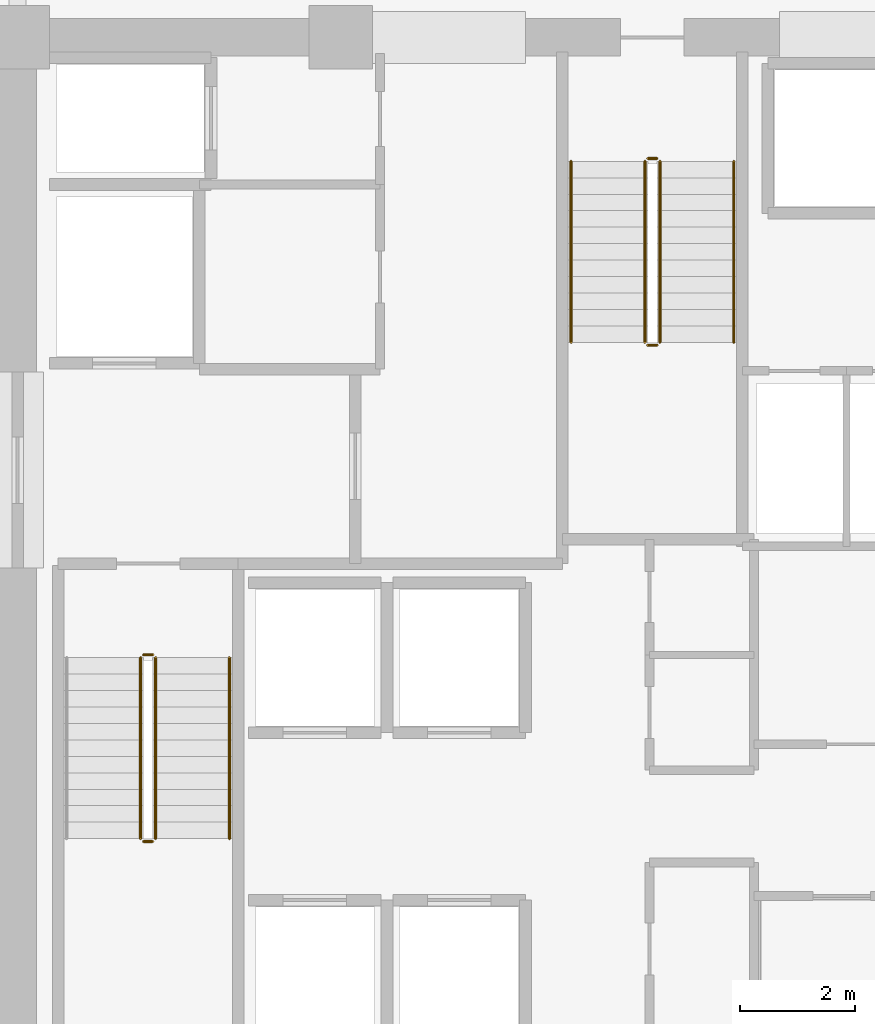
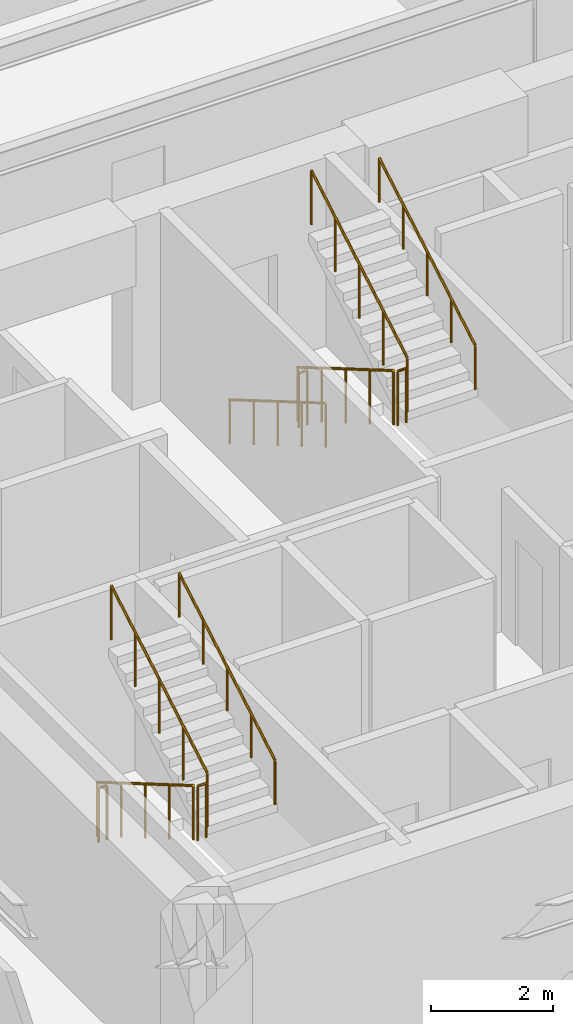
# One storey, part 20 of 22: 11 railings.
"""IFC4 building model written with IfcOpenShell, lengths in metres."""

from ifc_helpers import new_model, si_unit, direction, frame, origin, origin_2d, place, context, subcontext, project, spatial, circle, extrude, material, type_object, element, save


model = new_model("IFC4")

# Units and contexts
model_context = context("Model", 3, precision=1e-05, world=origin(), true_north=direction((0.0, 1.0)))
body_context = subcontext(model_context, "Body", "Model", "MODEL_VIEW")
ifc_project = project(units=[si_unit("LENGTHUNIT", "METRE"), si_unit("AREAUNIT", "SQUARE_METRE"), si_unit("VOLUMEUNIT", "CUBIC_METRE"), si_unit("PLANEANGLEUNIT", "RADIAN"), si_unit("MASSUNIT", "GRAM", prefix="KILO")], contexts=[model_context])

# Site, building, storey
site_placement = place(None, origin())
site = spatial("IfcSite", under=ifc_project, at=site_placement, CompositionType="ELEMENT")
building_placement = place(site_placement, origin())
building = spatial("IfcBuilding", under=site, at=building_placement, Name="Kovane Verandah Tower", CompositionType="ELEMENT")
storey_placement = place(building_placement, frame((0.0, 0.0, 71.60009765625)))
storey = spatial("IfcBuildingStorey", under=building, at=storey_placement, Name="L16", CompositionType="ELEMENT", Elevation=71.60009765625)

# Railings
ifc_material_1 = material(Name="Brushed Stainless Steel Handrail", Category="steel")
railing_type_1 = type_object("IfcRailingType", Name="RL-HAND-920", PredefinedType="HANDRAIL", material=ifc_material_1)
railing_1_placement = place(storey_placement, frame((32.669921875, 22.614990234375, 2.16650390625)))
element("IfcRailing", 1, at=railing_1_placement, inside=storey, type_object=railing_type_1, Name="L16 ST-01 stair handrail 2", PredefinedType="HANDRAIL", context=body_context, shape_type="SweptSolid", body=[
    extrude(circle(Radius=0.02392578125, at=origin_2d()), frame((0.0, 0.0, 0.8759765625), z_axis=(0.0, 0.863210265497, 0.504844567704), x_axis=(-1.0, 0.0, 0.0)), (0.0, 0.0, 1.0), 3.6318359375),
    extrude(circle(Radius=0.02099609375, at=origin_2d()), origin(), (0.0, 0.0, 1.0), 0.851806640625),
    extrude(circle(Radius=0.02099609375, at=origin_2d()), frame((0.0, 0.78369140625, 0.45849609375)), (0.0, 0.0, 1.0), 0.851806640625),
    extrude(circle(Radius=0.02099609375, at=origin_2d()), frame((0.0, 1.5673828125, 0.916748046875)), (0.0, 0.0, 1.0), 0.851806640625),
    extrude(circle(Radius=0.02099609375, at=origin_2d()), frame((0.0, 2.351318359375, 1.375)), (0.0, 0.0, 1.0), 0.851806640625),
    extrude(circle(Radius=0.02099609375, at=origin_2d()), frame((0.0, 3.135009765625, 1.83349609375)), (0.0, 0.0, 1.0), 0.851806640625),
])
railing_2_placement = place(storey_placement, frame((38.590087890625, 34.35009765625, 0.16650390625)))
element("IfcRailing", 2, at=railing_2_placement, inside=storey, type_object=railing_type_1, Name="L16 ST-03 stair handrail 1", PredefinedType="HANDRAIL", context=body_context, shape_type="SweptSolid", body=[
    extrude(circle(Radius=0.02392578125, at=origin_2d()), frame((0.0, 0.0, 0.8759765625), z_axis=(0.0, -0.863210265497, 0.504844567704), x_axis=(1.0, 0.0, 0.0)), (0.0, 0.0, 1.0), 3.6318359375),
    extrude(circle(Radius=0.02099609375, at=origin_2d()), origin(), (0.0, 0.0, 1.0), 0.851806640625),
    extrude(circle(Radius=0.02099609375, at=origin_2d()), frame((0.0, -0.78369140625, 0.45849609375)), (0.0, 0.0, 1.0), 0.851806640625),
    extrude(circle(Radius=0.02099609375, at=origin_2d()), frame((0.0, -1.5673828125, 0.916748046875)), (0.0, 0.0, 1.0), 0.851806640625),
    extrude(circle(Radius=0.02099609375, at=origin_2d()), frame((0.0, -2.351318359375, 1.375)), (0.0, 0.0, 1.0), 0.851806640625),
    extrude(circle(Radius=0.02099609375, at=origin_2d()), frame((0.0, -3.135009765625, 1.83349609375)), (0.0, 0.0, 1.0), 0.851806640625),
])
railing_3_placement = place(storey_placement, frame((41.409912109375, 31.215087890625, 2.16650390625)))
element("IfcRailing", 3, at=railing_3_placement, inside=storey, type_object=railing_type_1, Name="L16 ST-03 stair handrail 2", PredefinedType="HANDRAIL", context=body_context, shape_type="SweptSolid", body=[
    extrude(circle(Radius=0.02392578125, at=origin_2d()), frame((0.0, 0.0, 0.8759765625), z_axis=(0.0, 0.863210265497, 0.504844567704), x_axis=(-1.0, 0.0, 0.0)), (0.0, 0.0, 1.0), 3.6318359375),
    extrude(circle(Radius=0.02099609375, at=origin_2d()), origin(), (0.0, 0.0, 1.0), 0.851806640625),
    extrude(circle(Radius=0.02099609375, at=origin_2d()), frame((0.0, 0.78369140625, 0.45849609375)), (0.0, 0.0, 1.0), 0.851806640625),
    extrude(circle(Radius=0.02099609375, at=origin_2d()), frame((0.0, 1.5673828125, 0.916748046875)), (0.0, 0.0, 1.0), 0.851806640625),
    extrude(circle(Radius=0.02099609375, at=origin_2d()), frame((0.0, 2.351318359375, 1.375)), (0.0, 0.0, 1.0), 0.851806640625),
    extrude(circle(Radius=0.02099609375, at=origin_2d()), frame((0.0, 3.135009765625, 1.83349609375)), (0.0, 0.0, 1.0), 0.851806640625),
])
ifc_material_2 = material(Name="Painted Steel Stairwell Guardrail", Category="steel")
railing_type_2 = type_object("IfcRailingType", Name="RL-STGUARD-1120", PredefinedType="GUARDRAIL", material=ifc_material_2)
railing_4_placement = place(storey_placement, frame((31.1298828125, 25.75, 0.16650390625)))
element("IfcRailing", 4, at=railing_4_placement, inside=storey, type_object=railing_type_2, Name="L16 ST-01 stair guard 1", PredefinedType="GUARDRAIL", context=body_context, shape_type="SweptSolid", body=[
    extrude(circle(Radius=0.02392578125, at=origin_2d()), frame((0.0, 0.0, 1.076171875), z_axis=(0.0, -0.863210265497, 0.504844567704), x_axis=(1.0, 0.0, 0.0)), (0.0, 0.0, 1.0), 3.6318359375),
    extrude(circle(Radius=0.02099609375, at=origin_2d()), origin(), (0.0, 0.0, 1.0), 1.052001953125),
    extrude(circle(Radius=0.02099609375, at=origin_2d()), frame((0.0, -0.78369140625, 0.45849609375)), (0.0, 0.0, 1.0), 1.052001953125),
    extrude(circle(Radius=0.02099609375, at=origin_2d()), frame((0.0, -1.5673828125, 0.916748046875)), (0.0, 0.0, 1.0), 1.052001953125),
    extrude(circle(Radius=0.02099609375, at=origin_2d()), frame((0.0, -2.351318359375, 1.375)), (0.0, 0.0, 1.0), 1.052001953125),
    extrude(circle(Radius=0.02099609375, at=origin_2d()), frame((0.0, -3.135009765625, 1.83349609375)), (0.0, 0.0, 1.0), 1.052001953125),
])
railing_5_placement = place(storey_placement, frame((31.179931640625, 22.56494140625, 2.0)))
element("IfcRailing", 5, at=railing_5_placement, inside=storey, type_object=railing_type_2, Name="L16 ST-01 stair guard 2", PredefinedType="GUARDRAIL", context=body_context, shape_type="SweptSolid", body=[
    extrude(circle(Radius=0.02392578125, at=origin_2d()), frame((0.0, 0.0, 1.076171875), z_axis=(1.0, 0.0, 0.0), x_axis=(0.0, 1.0, 0.0)), (0.0, 0.0, 1.0), 0.16015625),
    extrude(circle(Radius=0.02099609375, at=origin_2d()), origin(), (0.0, 0.0, 1.0), 1.052001953125),
    extrude(circle(Radius=0.02099609375, at=origin_2d()), frame((0.16015625, 0.0, 0.0)), (0.0, 0.0, 1.0), 1.052001953125),
])
railing_6_placement = place(storey_placement, frame((31.389892578125, 22.614990234375, 2.16650390625)))
element("IfcRailing", 6, at=railing_6_placement, inside=storey, type_object=railing_type_2, Name="L16 ST-01 stair guard 3", PredefinedType="GUARDRAIL", context=body_context, shape_type="SweptSolid", body=[
    extrude(circle(Radius=0.02392578125, at=origin_2d()), frame((0.0, 0.0, 1.076171875), z_axis=(0.0, 0.863210265497, 0.504844567704), x_axis=(-1.0, 0.0, 0.0)), (0.0, 0.0, 1.0), 3.6318359375),
    extrude(circle(Radius=0.02099609375, at=origin_2d()), origin(), (0.0, 0.0, 1.0), 1.052001953125),
    extrude(circle(Radius=0.02099609375, at=origin_2d()), frame((0.0, 0.78369140625, 0.45849609375)), (0.0, 0.0, 1.0), 1.052001953125),
    extrude(circle(Radius=0.02099609375, at=origin_2d()), frame((0.0, 1.5673828125, 0.916748046875)), (0.0, 0.0, 1.0), 1.052001953125),
    extrude(circle(Radius=0.02099609375, at=origin_2d()), frame((0.0, 2.351318359375, 1.375)), (0.0, 0.0, 1.0), 1.052001953125),
    extrude(circle(Radius=0.02099609375, at=origin_2d()), frame((0.0, 3.135009765625, 1.83349609375)), (0.0, 0.0, 1.0), 1.052001953125),
])
railing_7_placement = place(storey_placement, frame((31.179931640625, 25.800048828125, 0.0)))
element("IfcRailing", 7, at=railing_7_placement, inside=storey, type_object=railing_type_2, Name="L16 ST-01 stair guard 4", PredefinedType="GUARDRAIL", context=body_context, shape_type="SweptSolid", body=[
    extrude(circle(Radius=0.02392578125, at=origin_2d()), frame((0.0, 0.0, 1.076171875), z_axis=(1.0, 0.0, 0.0), x_axis=(0.0, 1.0, 0.0)), (0.0, 0.0, 1.0), 0.16015625),
    extrude(circle(Radius=0.02099609375, at=origin_2d()), origin(), (0.0, 0.0, 1.0), 1.052001953125),
    extrude(circle(Radius=0.02099609375, at=origin_2d()), frame((0.16015625, 0.0, 0.0)), (0.0, 0.0, 1.0), 1.052001953125),
])
railing_8_placement = place(storey_placement, frame((39.8701171875, 34.35009765625, 0.16650390625)))
element("IfcRailing", 8, at=railing_8_placement, inside=storey, type_object=railing_type_2, Name="L16 ST-03 stair guard 1", PredefinedType="GUARDRAIL", context=body_context, shape_type="SweptSolid", body=[
    extrude(circle(Radius=0.02392578125, at=origin_2d()), frame((0.0, 0.0, 1.076171875), z_axis=(0.0, -0.863210265497, 0.504844567704), x_axis=(1.0, 0.0, 0.0)), (0.0, 0.0, 1.0), 3.6318359375),
    extrude(circle(Radius=0.02099609375, at=origin_2d()), origin(), (0.0, 0.0, 1.0), 1.052001953125),
    extrude(circle(Radius=0.02099609375, at=origin_2d()), frame((0.0, -0.78369140625, 0.45849609375)), (0.0, 0.0, 1.0), 1.052001953125),
    extrude(circle(Radius=0.02099609375, at=origin_2d()), frame((0.0, -1.5673828125, 0.916748046875)), (0.0, 0.0, 1.0), 1.052001953125),
    extrude(circle(Radius=0.02099609375, at=origin_2d()), frame((0.0, -2.351318359375, 1.375)), (0.0, 0.0, 1.0), 1.052001953125),
    extrude(circle(Radius=0.02099609375, at=origin_2d()), frame((0.0, -3.135009765625, 1.83349609375)), (0.0, 0.0, 1.0), 1.052001953125),
])
railing_9_placement = place(storey_placement, frame((39.919921875, 31.1650390625, 2.0)))
element("IfcRailing", 9, at=railing_9_placement, inside=storey, type_object=railing_type_2, Name="L16 ST-03 stair guard 2", PredefinedType="GUARDRAIL", context=body_context, shape_type="SweptSolid", body=[
    extrude(circle(Radius=0.02392578125, at=origin_2d()), frame((0.0, 0.0, 1.076171875), z_axis=(1.0, 0.0, 0.0), x_axis=(0.0, 1.0, 0.0)), (0.0, 0.0, 1.0), 0.16015625),
    extrude(circle(Radius=0.02099609375, at=origin_2d()), origin(), (0.0, 0.0, 1.0), 1.052001953125),
    extrude(circle(Radius=0.02099609375, at=origin_2d()), frame((0.16015625, 0.0, 0.0)), (0.0, 0.0, 1.0), 1.052001953125),
])
railing_10_placement = place(storey_placement, frame((40.1298828125, 31.215087890625, 2.16650390625)))
element("IfcRailing", 10, at=railing_10_placement, inside=storey, type_object=railing_type_2, Name="L16 ST-03 stair guard 3", PredefinedType="GUARDRAIL", context=body_context, shape_type="SweptSolid", body=[
    extrude(circle(Radius=0.02392578125, at=origin_2d()), frame((0.0, 0.0, 1.076171875), z_axis=(0.0, 0.863210265497, 0.504844567704), x_axis=(-1.0, 0.0, 0.0)), (0.0, 0.0, 1.0), 3.6318359375),
    extrude(circle(Radius=0.02099609375, at=origin_2d()), origin(), (0.0, 0.0, 1.0), 1.052001953125),
    extrude(circle(Radius=0.02099609375, at=origin_2d()), frame((0.0, 0.78369140625, 0.45849609375)), (0.0, 0.0, 1.0), 1.052001953125),
    extrude(circle(Radius=0.02099609375, at=origin_2d()), frame((0.0, 1.5673828125, 0.916748046875)), (0.0, 0.0, 1.0), 1.052001953125),
    extrude(circle(Radius=0.02099609375, at=origin_2d()), frame((0.0, 2.351318359375, 1.375)), (0.0, 0.0, 1.0), 1.052001953125),
    extrude(circle(Radius=0.02099609375, at=origin_2d()), frame((0.0, 3.135009765625, 1.83349609375)), (0.0, 0.0, 1.0), 1.052001953125),
])
railing_11_placement = place(storey_placement, frame((39.919921875, 34.39990234375, 0.0)))
element("IfcRailing", 11, at=railing_11_placement, inside=storey, type_object=railing_type_2, Name="L16 ST-03 stair guard 4", PredefinedType="GUARDRAIL", context=body_context, shape_type="SweptSolid", body=[
    extrude(circle(Radius=0.02392578125, at=origin_2d()), frame((0.0, 0.0, 1.076171875), z_axis=(1.0, 0.0, 0.0), x_axis=(0.0, 1.0, 0.0)), (0.0, 0.0, 1.0), 0.16015625),
    extrude(circle(Radius=0.02099609375, at=origin_2d()), origin(), (0.0, 0.0, 1.0), 1.052001953125),
    extrude(circle(Radius=0.02099609375, at=origin_2d()), frame((0.16015625, 0.0, 0.0)), (0.0, 0.0, 1.0), 1.052001953125),
])

save(model, "model.ifc")
